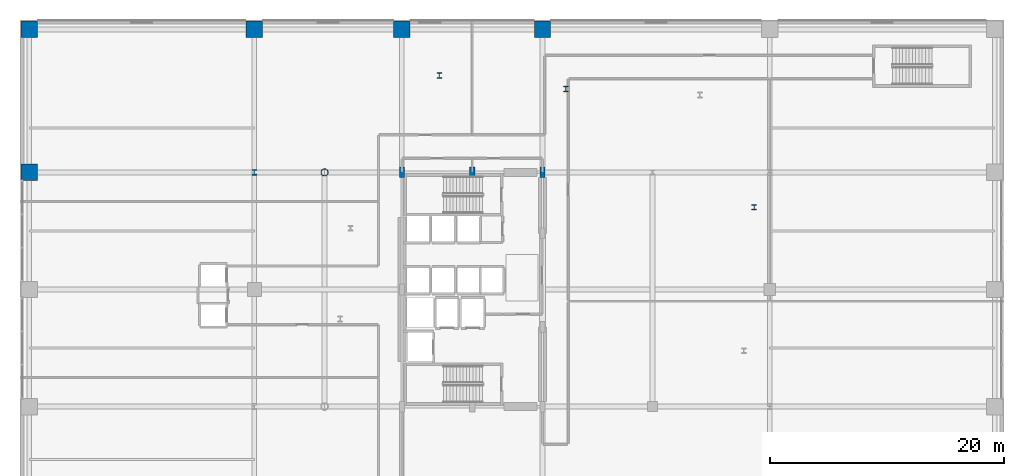
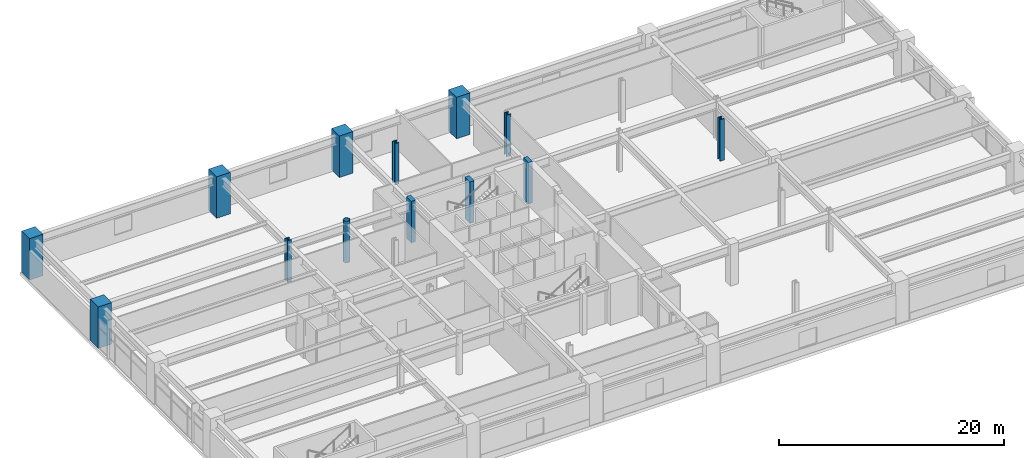
# One storey, part 2 of 28: 13 columns.
"""IFC4 building model written with IfcOpenShell, lengths in metres."""

from ifc_helpers import new_model, si_unit, direction, frame, origin, origin_2d, place, context, subcontext, project, spatial, rectangle, hollow_circle, i_section, extrude, material, material_profile, profile_set, type_object, element, save


model = new_model("IFC4")

# Units and contexts
model_context = context("Model", 3, precision=1e-05, world=origin(), true_north=direction((0.0, 1.0)))
body_context = subcontext(model_context, "Body", "Model", "MODEL_VIEW")
ifc_project = project(units=[si_unit("LENGTHUNIT", "METRE"), si_unit("AREAUNIT", "SQUARE_METRE"), si_unit("VOLUMEUNIT", "CUBIC_METRE"), si_unit("PLANEANGLEUNIT", "RADIAN"), si_unit("MASSUNIT", "GRAM", prefix="KILO")], contexts=[model_context])

# Site, building, storey
site_placement = place(None, origin())
site = spatial("IfcSite", under=ifc_project, at=site_placement, CompositionType="ELEMENT")
building_placement = place(site_placement, origin())
building = spatial("IfcBuilding", under=site, at=building_placement, Name="Soratama Intermodal Tower", CompositionType="ELEMENT")
storey_placement = place(building_placement, frame((0.0, 0.0, 16.199951171875)))
storey = spatial("IfcBuildingStorey", under=building, at=storey_placement, Name="L03", CompositionType="ELEMENT", Elevation=16.199951171875)

# Columns
ifc_material_1 = material(Name="Concrete f'c 56 MPa", Category="concrete")
ifc_material_profile_1 = material_profile(ifc_material_1, rectangle(XDim=1.39990234375, YDim=1.39990234375, at=origin_2d()), Name="RC1400X1400")
ifc_profile_set_1 = profile_set([ifc_material_profile_1], Name="Concrete f'c 56 MPa")
column_type_1 = type_object("IfcColumnType", Name="COL-POD-EXT-RC1400", PredefinedType="COLUMN", material=ifc_profile_set_1)
for number, where, z_axis, x_axis, name in (
    (1, (0.800048828125, 35.0, 0.0), (0.0, 0.0, 1.0), (1.0, 0.0, 0.0), "L03 Station Column P09"),
    (2, (0.800048828125, 47.199951171875, 0.0), (0.0, 0.0, 1.0), (1.0, 0.0, 0.0), "L03 Station Column P13"),
    (3, (20.0, 47.199951171875, 0.0), (0.0, 0.0, 1.0), (1.0, 0.0, 0.0), "L03 Station Column P14"),
    (4, (32.60009765625, 47.199951171875, 0.0), (0.0, 0.0, 1.0), (1.0, 0.0, 0.0), "L03 Station Column P23"),
    (5, (44.60009765625, 47.199951171875, 0.0), (0.0, 0.0, 1.0), (1.0, 0.0, 0.0), "L03 Station Column P24"),
):
    element("IfcColumn", number, at=place(storey_placement, frame(where, z_axis=z_axis, x_axis=x_axis)), inside=storey, type_object=column_type_1, Name=name, PredefinedType="COLUMN", context=body_context, shape_type="SweptSolid", body=[
        extrude(rectangle(XDim=1.39990234375, YDim=1.39990234375, at=origin_2d()), origin(), (0.0, 0.0, 1.0), 4.5),
    ])
ifc_material_2 = material(Name="Structural steel ASTM A992 Grade 50", Category="steel")
ifc_material_profile_2 = material_profile(ifc_material_2, i_section(OverallWidth=0.431884765625, OverallDepth=0.498046875, WebThickness=0.0556640625, FlangeThickness=0.0888671875, FilletRadius=0.0380859375, at=origin_2d()), Name="W14X500")
ifc_profile_set_2 = profile_set([ifc_material_profile_2], Name="Structural steel ASTM A992 Grade 50")
column_type_2 = type_object("IfcColumnType", Name="COL-POD-W14X500", PredefinedType="COLUMN", material=ifc_profile_set_2)
for number, where, z_axis, x_axis, name in (
    (6, (20.0, 35.0, 0.0), (0.0, 0.0, 1.0), (1.0, 0.0, 0.0), "L03 Station Column P10"),
    (7, (62.6689453125, 32.02490234375, 0.0), (0.0, 0.0, 1.0), (1.0, 0.0, 0.0), "L03 Station Column P29"),
    (8, (46.60107421875, 42.116943359375, 0.0), (0.0, 0.0, 1.0), (1.0, 0.0, 0.0), "L03 Station Column P31"),
    (9, (35.7958984375, 43.264892578125, 0.0), (0.0, 0.0, 1.0), (1.0, 0.0, 0.0), "L03 Station Column P32"),
):
    element("IfcColumn", number, at=place(storey_placement, frame(where, z_axis=z_axis, x_axis=x_axis)), inside=storey, type_object=column_type_2, Name=name, PredefinedType="COLUMN", context=body_context, shape_type="SweptSolid", body=[
        extrude(i_section(OverallWidth=0.431884765625, OverallDepth=0.498046875, WebThickness=0.0556640625, FlangeThickness=0.0888671875, FilletRadius=0.0380859375, at=origin_2d()), origin(), (0.0, 0.0, 1.0), 4.5),
    ])
ifc_material_3 = material(Name="Structural steel ASTM A500 Grade C", Category="steel")
ifc_material_profile_3 = material_profile(ifc_material_3, hollow_circle(Radius=0.304931640625, WallThickness=0.02197265625, at=origin_2d()), Name="CHS610X22")
ifc_profile_set_3 = profile_set([ifc_material_profile_3], Name="Structural steel ASTM A500 Grade C")
column_type_3 = type_object("IfcColumnType", Name="COL-POOL-CHS610", PredefinedType="COLUMN", material=ifc_profile_set_3)
column_placement = place(storey_placement, frame((26.0, 35.0, 0.0), z_axis=(0.0, 0.0, 1.0), x_axis=(1.0, 0.0, 0.0)))
element("IfcColumn", 10, at=column_placement, inside=storey, type_object=column_type_3, Name="L03 Station Column P28", PredefinedType="COLUMN", context=body_context, shape_type="SweptSolid", body=[
    extrude(hollow_circle(Radius=0.304931640625, WallThickness=0.02197265625, at=origin_2d()), origin(), (0.0, 0.0, 1.0), 4.5),
])
ifc_material_4 = material(Name="Concrete f'c 56 MPa", Category="concrete")
ifc_material_profile_4 = material_profile(ifc_material_4, rectangle(XDim=0.449951171875, YDim=0.89990234375, at=origin_2d()), Name="RC450X900")
ifc_profile_set_4 = profile_set([ifc_material_profile_4], Name="Concrete f'c 56 MPa")
column_type_4 = type_object("IfcColumnType", Name="PIL-CORE-450X900", PredefinedType="PILASTER", material=ifc_profile_set_4)
for number, where, z_axis, x_axis, name in (
    (11, (32.60009765625, 35.0, 0.0), (0.0, 0.0, 1.0), (1.0, 0.0, 0.0), "L03 Core Pilaster 3"),
    (12, (38.60009765625, 35.0, 0.0), (0.0, 0.0, 1.0), (1.0, 0.0, 0.0), "L03 Core Pilaster 5"),
    (13, (44.60009765625, 35.0, 0.0), (0.0, 0.0, 1.0), (1.0, 0.0, 0.0), "L03 Core Pilaster 9"),
):
    element("IfcColumn", number, at=place(storey_placement, frame(where, z_axis=z_axis, x_axis=x_axis)), inside=storey, type_object=column_type_4, Name=name, PredefinedType="PILASTER", context=body_context, shape_type="SweptSolid", body=[
        extrude(rectangle(XDim=0.449951171875, YDim=0.89990234375, at=origin_2d()), origin(), (0.0, 0.0, 1.0), 4.5),
    ])

save(model, "model.ifc")
